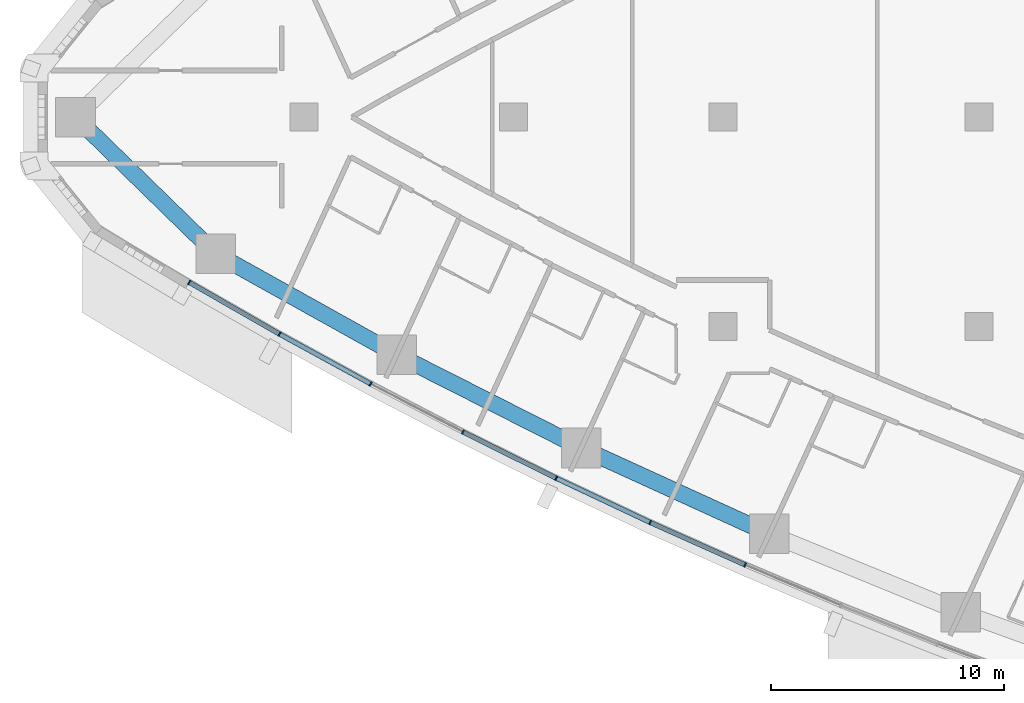
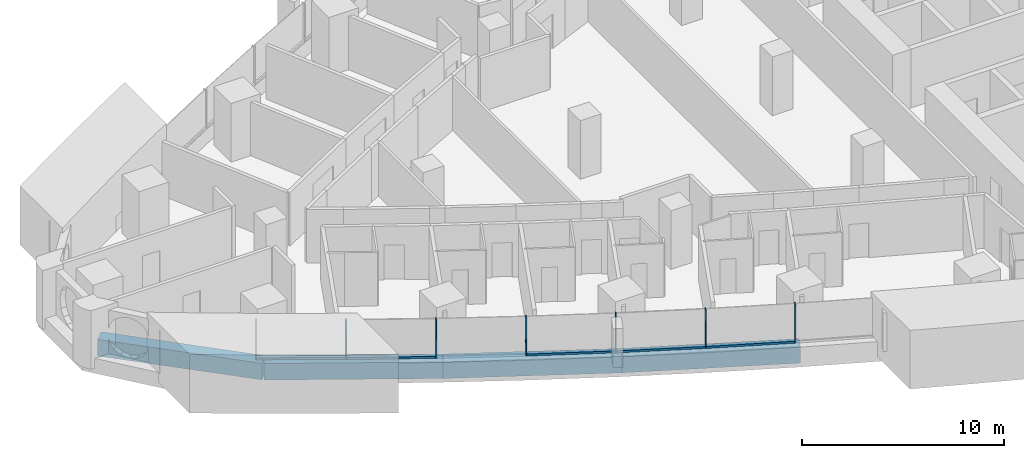
# One storey, part 2 of 17: 12 members, 4 beams, 3 elements without a shape of their own.
"""IFC4 building model written with IfcOpenShell, lengths in metres."""

from ifc_helpers import new_model, si_unit, direction, frame, origin, origin_2d, place, context, subcontext, project, spatial, rectangle, extrude, material, layer, layer_set, material_profile, profile_set, type_object, element, aggregate, save


model = new_model("IFC4")

# Units and contexts
model_context = context("Model", 3, precision=1e-05, world=origin(), true_north=direction((0.0, 1.0)))
body_context = subcontext(model_context, "Body", "Model", "MODEL_VIEW")
ifc_project = project(units=[si_unit("LENGTHUNIT", "METRE"), si_unit("AREAUNIT", "SQUARE_METRE"), si_unit("VOLUMEUNIT", "CUBIC_METRE"), si_unit("PLANEANGLEUNIT", "RADIAN"), si_unit("MASSUNIT", "GRAM", prefix="KILO")], contexts=[model_context])

# Site, building, storey
site_placement = place(None, origin())
site = spatial("IfcSite", under=ifc_project, at=site_placement, CompositionType="ELEMENT")
building_placement = place(site_placement, origin())
building = spatial("IfcBuilding", under=site, at=building_placement, Name="Ostrand Prow Hotel Tower", CompositionType="ELEMENT")
storey_placement = place(building_placement, frame((0.0, 0.0, 88.449951171875)))
storey = spatial("IfcBuildingStorey", under=building, at=storey_placement, Name="L20", CompositionType="ELEMENT", Elevation=88.449951171875)

# Beams
ifc_material_1 = material(Name="Concrete C80/95", Category="concrete")
ifc_material_profile_1 = material_profile(ifc_material_1, rectangle(XDim=0.699951171875, YDim=1.0, at=origin_2d()), Name="RC 700x1000")
ifc_profile_set_1 = profile_set([ifc_material_profile_1], Name="Concrete C80/95")
beam_type = type_object("IfcBeamType", Name="Edge beam 700x1000 C80/95", PredefinedType="SPANDREL", material=ifc_profile_set_1)
beam_1_placement = place(storey_placement, frame((6.193115234375, 0.0, -0.800048828125), z_axis=(0.716082759826, -0.698015387423, 0.0), x_axis=(0.698015387423, 0.716082759826, 0.0)))
element("IfcBeam", 1, at=beam_1_placement, inside=storey, type_object=beam_type, Name="Edge beam P-S1", PredefinedType="SPANDREL", context=body_context, shape_type="SweptSolid", body=[
    extrude(rectangle(XDim=0.699951171875, YDim=1.0, at=origin_2d()), origin(), (0.0, 0.0, 1.0), 8.41845703125),
])
beam_2_placement = place(storey_placement, frame((12.221435546875, -5.876220703125, -0.800048828125), z_axis=(0.873452439955, -0.486909473245, 0.0), x_axis=(0.486909473245, 0.873452439955, 0.0)))
element("IfcBeam", 2, at=beam_2_placement, inside=storey, type_object=beam_type, Name="Edge beam S1-S2", PredefinedType="SPANDREL", context=body_context, shape_type="SweptSolid", body=[
    extrude(rectangle(XDim=0.699951171875, YDim=1.0, at=origin_2d()), origin(), (0.0, 0.0, 1.0), 8.883544921875),
])
beam_3_placement = place(storey_placement, frame((19.980712890625, -10.20166015625, -0.800048828125), z_axis=(0.892284288592, -0.451473973039, 0.0), x_axis=(0.451473973039, 0.892284288592, 0.0)))
element("IfcBeam", 3, at=beam_3_placement, inside=storey, type_object=beam_type, Name="Edge beam S2-S3", PredefinedType="SPANDREL", context=body_context, shape_type="SweptSolid", body=[
    extrude(rectangle(XDim=0.699951171875, YDim=1.0, at=origin_2d()), origin(), (0.0, 0.0, 1.0), 8.883056640625),
])
beam_4_placement = place(storey_placement, frame((27.906982421875, -14.212158203125, -0.800048828125), z_axis=(0.909681006953, -0.415307675813, 0.0), x_axis=(0.415307675813, 0.909681006953, 0.0)))
element("IfcBeam", 4, at=beam_4_placement, inside=storey, type_object=beam_type, Name="Edge beam S3-S4", PredefinedType="SPANDREL", context=body_context, shape_type="SweptSolid", body=[
    extrude(rectangle(XDim=0.699951171875, YDim=1.0, at=origin_2d()), origin(), (0.0, 0.0, 1.0), 8.883544921875),
])

# Curtain wall, members
ifc_material_2 = material(Name="Insulated glass in bronze anodised frame", Category="glass")
ifc_layer = layer(ifc_material_2, 0.199951171875)
ifc_layer_set = layer_set([ifc_layer], Name="Insulated glass in bronze anodised frame")
curtain_wall_type = type_object("IfcCurtainWallType", Name="Strip curtain wall, fritted glass over bronze spandrel", PredefinedType="NOTDEFINED", material=ifc_layer_set)
curtain_wall_1_placement = place(storey_placement, origin())
curtain_wall_1 = element("IfcCurtainWall", 5, at=curtain_wall_1_placement, inside=storey, type_object=curtain_wall_type, Name="CW1 run CWS1", PredefinedType="NOTDEFINED")
ifc_material_3 = material(Name="Bronze anodised aluminium", Category="aluminium")
ifc_material_profile_2 = material_profile(ifc_material_3, rectangle(XDim=0.199951171875, YDim=0.06005859375, at=origin_2d()), Name="Mullion 60x200 bronze anodised aluminium")
ifc_profile_set_2 = profile_set([ifc_material_profile_2], Name="Bronze anodised aluminium")
member_type_1 = type_object("IfcMemberType", Name="Mullion 60x200 bronze anodised aluminium", PredefinedType="MULLION", material=ifc_profile_set_2)
member_1_placement = place(storey_placement, frame((11.076416015625, -7.099853515625, 0.900146484375), z_axis=(0.0, 0.0, 1.0), x_axis=(0.497114806368, 0.867684775301, 0.0)))
member_1 = element("IfcMember", 6, at=member_1_placement, type_object=member_type_1, Name="CW1 mullion 1", PredefinedType="MULLION", context=body_context, shape_type="SweptSolid", body=[
    extrude(rectangle(XDim=0.199951171875, YDim=0.06005859375, at=origin_2d()), origin(), (0.0, 0.0, 1.0), 2.349853515625),
])
member_2_placement = place(storey_placement, frame((14.951416015625, -9.320068359375, 0.900146484375), z_axis=(0.0, 0.0, 1.0), x_axis=(0.479637052103, 0.877466978439, 0.0)))
member_2 = element("IfcMember", 7, at=member_2_placement, type_object=member_type_1, Name="CW1 mullion 2", PredefinedType="MULLION", context=body_context, shape_type="SweptSolid", body=[
    extrude(rectangle(XDim=0.199951171875, YDim=0.06005859375, at=origin_2d()), origin(), (0.0, 0.0, 1.0), 2.349853515625),
])
member_3_placement = place(storey_placement, frame((18.870361328125, -11.4619140625, 0.900146484375), z_axis=(0.0, 0.0, 1.0), x_axis=(0.479637052103, 0.877466978439, 0.0)))
member_3 = element("IfcMember", 8, at=member_3_placement, type_object=member_type_1, Name="CW1 mullion 3", PredefinedType="MULLION", context=body_context, shape_type="SweptSolid", body=[
    extrude(rectangle(XDim=0.199951171875, YDim=0.06005859375, at=origin_2d()), origin(), (0.0, 0.0, 1.0), 2.349853515625),
])

curtain_wall_2_placement = place(storey_placement, origin())
curtain_wall_2 = element("IfcCurtainWall", 9, at=curtain_wall_2_placement, inside=storey, type_object=curtain_wall_type, Name="CW1 run CWS2", PredefinedType="NOTDEFINED")
member_4_placement = place(storey_placement, frame((22.831298828125, -13.525146484375, 0.900146484375), z_axis=(0.0, 0.0, 1.0), x_axis=(0.44411295748, 0.895970803653, 0.0)))
member_4 = element("IfcMember", 10, at=member_4_placement, type_object=member_type_1, Name="CW1 mullion 2", PredefinedType="MULLION", context=body_context, shape_type="SweptSolid", body=[
    extrude(rectangle(XDim=0.199951171875, YDim=0.06005859375, at=origin_2d()), origin(), (0.0, 0.0, 1.0), 2.349853515625),
])
member_5_placement = place(storey_placement, frame((26.83251953125, -15.508544921875, 0.900146484375), z_axis=(0.0, 0.0, 1.0), x_axis=(0.44411295748, 0.895970803653, 0.0)))
member_5 = element("IfcMember", 11, at=member_5_placement, type_object=member_type_1, Name="CW1 mullion 3", PredefinedType="MULLION", context=body_context, shape_type="SweptSolid", body=[
    extrude(rectangle(XDim=0.199951171875, YDim=0.06005859375, at=origin_2d()), origin(), (0.0, 0.0, 1.0), 2.349853515625),
])

curtain_wall_3_placement = place(storey_placement, origin())
curtain_wall_3 = element("IfcCurtainWall", 12, at=curtain_wall_3_placement, inside=storey, type_object=curtain_wall_type, Name="CW1 run CWS3", PredefinedType="NOTDEFINED")
member_6_placement = place(storey_placement, frame((30.872802734375, -17.41162109375, 0.900146484375), z_axis=(0.0, 0.0, 1.0), x_axis=(0.407874755419, 0.913037887435, 0.0)))
member_6 = element("IfcMember", 13, at=member_6_placement, type_object=member_type_1, Name="CW1 mullion 2", PredefinedType="MULLION", context=body_context, shape_type="SweptSolid", body=[
    extrude(rectangle(XDim=0.199951171875, YDim=0.06005859375, at=origin_2d()), origin(), (0.0, 0.0, 1.0), 2.349853515625),
])
member_7_placement = place(storey_placement, frame((34.95068359375, -19.233154296875, 0.900146484375), z_axis=(0.0, 0.0, 1.0), x_axis=(0.407874755419, 0.913037887435, 0.0)))
member_7 = element("IfcMember", 14, at=member_7_placement, type_object=member_type_1, Name="CW1 mullion 3", PredefinedType="MULLION", context=body_context, shape_type="SweptSolid", body=[
    extrude(rectangle(XDim=0.199951171875, YDim=0.06005859375, at=origin_2d()), origin(), (0.0, 0.0, 1.0), 2.349853515625),
])

# Member
ifc_material_4 = material(Name="Bronze anodised aluminium", Category="aluminium")
ifc_material_profile_3 = material_profile(ifc_material_4, rectangle(XDim=0.199951171875, YDim=0.1201171875, at=origin_2d()), Name="Transom 120x200 bronze anodised aluminium")
ifc_profile_set_3 = profile_set([ifc_material_profile_3], Name="Bronze anodised aluminium")
member_type_2 = type_object("IfcMemberType", Name="Transom 120x200 bronze anodised aluminium", PredefinedType="USERDEFINED", material=ifc_profile_set_3)
member_8_placement = place(storey_placement, frame((11.1025390625, -7.11474609375, 0.9599609375), z_axis=(0.86766970623, -0.497141107625, 0.0), x_axis=(0.497141107625, 0.86766970623, 0.0)))
member_8 = element("IfcMember", 15, at=member_8_placement, type_object=member_type_2, Name="CW1 transom 1.1", ObjectType="TRANSOM", PredefinedType="USERDEFINED", context=body_context, shape_type="SweptSolid", body=[
    extrude(rectangle(XDim=0.199951171875, YDim=0.1201171875, at=origin_2d()), origin(), (0.0, 0.0, 1.0), 4.406005859375),
])

member_9_placement = place(storey_placement, frame((14.977783203125, -9.33447265625, 0.9599609375), z_axis=(0.877471714137, -0.479628388328, 0.0), x_axis=(0.479628388328, 0.877471714137, 0.0)))
member_9 = element("IfcMember", 16, at=member_9_placement, type_object=member_type_2, Name="CW1 transom 2.1", ObjectType="TRANSOM", PredefinedType="USERDEFINED", context=body_context, shape_type="SweptSolid", body=[
    extrude(rectangle(XDim=0.199951171875, YDim=0.1201171875, at=origin_2d()), origin(), (0.0, 0.0, 1.0), 4.406005859375),
])

aggregate(curtain_wall_1, [member_1, member_2, member_3, member_8, member_9])

member_10_placement = place(storey_placement, frame((22.858154296875, -13.53857421875, 0.9599609375), z_axis=(0.895962348168, -0.444130015497, 0.0), x_axis=(0.444130015497, 0.895962348168, 0.0)))
member_10 = element("IfcMember", 17, at=member_10_placement, type_object=member_type_2, Name="CW1 transom 2.1", ObjectType="TRANSOM", PredefinedType="USERDEFINED", context=body_context, shape_type="SweptSolid", body=[
    extrude(rectangle(XDim=0.199951171875, YDim=0.1201171875, at=origin_2d()), origin(), (0.0, 0.0, 1.0), 4.406005859375),
])

aggregate(curtain_wall_2, [member_4, member_5, member_10])

member_11_placement = place(storey_placement, frame((26.859619140625, -15.521484375, 0.9599609375), z_axis=(0.904696854963, -0.42605586561, 0.0), x_axis=(0.42605586561, 0.904696854963, 0.0)))
member_11 = element("IfcMember", 18, at=member_11_placement, type_object=member_type_2, Name="CW1 transom 1.1", ObjectType="TRANSOM", PredefinedType="USERDEFINED", context=body_context, shape_type="SweptSolid", body=[
    extrude(rectangle(XDim=0.199951171875, YDim=0.1201171875, at=origin_2d()), origin(), (0.0, 0.0, 1.0), 4.406005859375),
])

member_12_placement = place(storey_placement, frame((30.900390625, -17.423583984375, 0.9599609375), z_axis=(0.913030665163, -0.407890922271, 0.0), x_axis=(0.407890922271, 0.913030665163, 0.0)))
member_12 = element("IfcMember", 19, at=member_12_placement, type_object=member_type_2, Name="CW1 transom 2.1", ObjectType="TRANSOM", PredefinedType="USERDEFINED", context=body_context, shape_type="SweptSolid", body=[
    extrude(rectangle(XDim=0.199951171875, YDim=0.1201171875, at=origin_2d()), origin(), (0.0, 0.0, 1.0), 4.40576171875),
])

aggregate(curtain_wall_3, [member_6, member_7, member_11, member_12])

save(model, "model.ifc")
